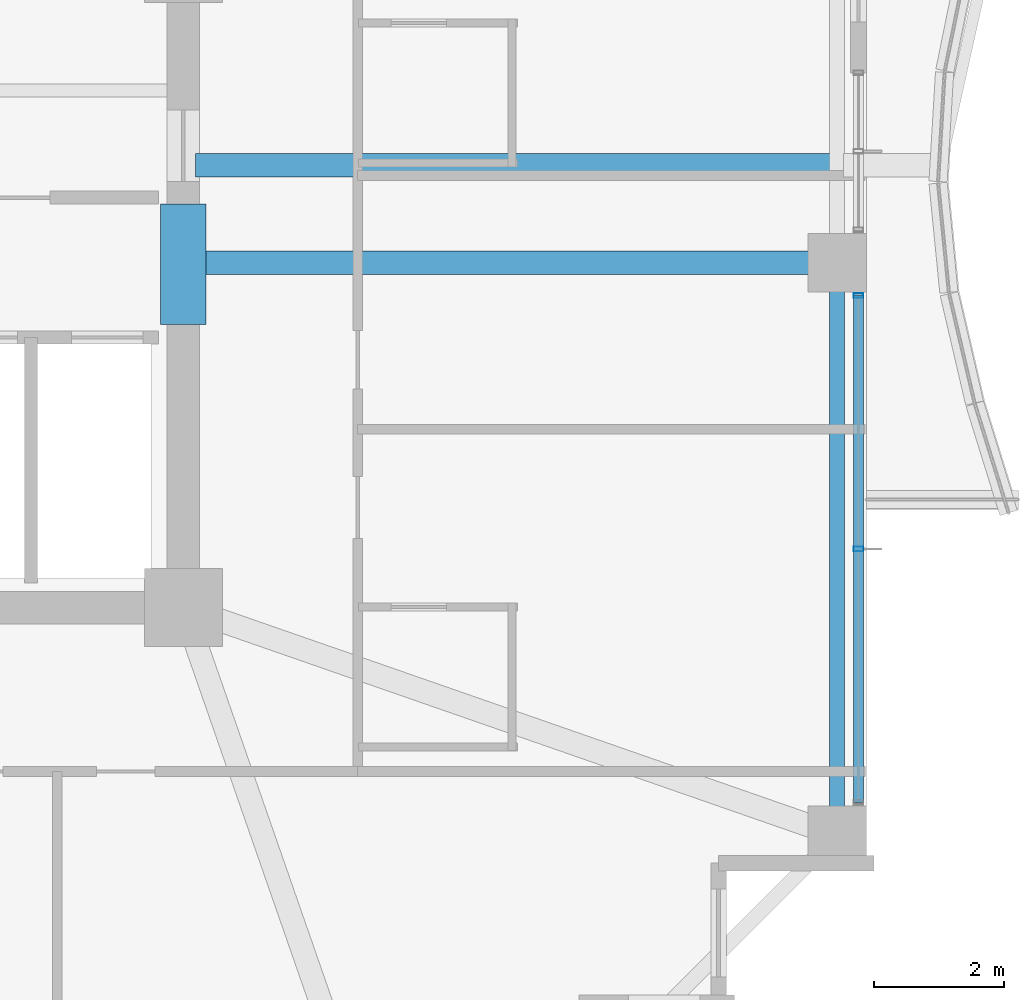
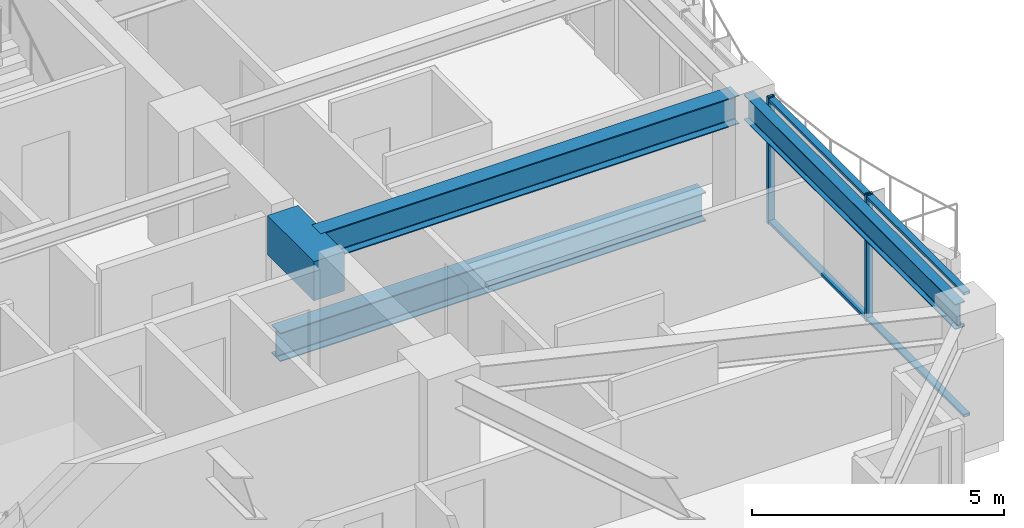
# One storey, part 12 of 34: 4 beams, 4 members, 1 element without a shape of its own.
"""IFC4 building model written with IfcOpenShell, lengths in metres."""

from ifc_helpers import new_model, si_unit, direction, frame, origin, origin_2d, place, context, subcontext, project, spatial, rectangle, hollow_rectangle, i_section, extrude, material, material_profile, profile_set, type_object, element, aggregate, save


model = new_model("IFC4")

# Units and contexts
model_context = context("Model", 3, precision=1e-05, world=origin(), true_north=direction((0.0, 1.0)))
body_context = subcontext(model_context, "Body", "Model", "MODEL_VIEW")
ifc_project = project(units=[si_unit("LENGTHUNIT", "METRE"), si_unit("AREAUNIT", "SQUARE_METRE"), si_unit("VOLUMEUNIT", "CUBIC_METRE"), si_unit("PLANEANGLEUNIT", "RADIAN"), si_unit("MASSUNIT", "GRAM", prefix="KILO")], contexts=[model_context])

# Site, building, storey
site_placement = place(None, origin())
site = spatial("IfcSite", under=ifc_project, at=site_placement, CompositionType="ELEMENT")
building_placement = place(site_placement, origin())
building = spatial("IfcBuilding", under=site, at=building_placement, Name="Kolvaren Belvedere", CompositionType="ELEMENT")
storey_placement = place(building_placement, frame((0.0, 0.0, 189.89990234375)))
storey = spatial("IfcBuildingStorey", under=building, at=storey_placement, Name="L55", CompositionType="ELEMENT", Elevation=189.89990234375)

# Beams
ifc_material_1 = material(Name="Structural steel ASTM A992 Grade 50", Category="steel")
ifc_material_profile_1 = material_profile(ifc_material_1, i_section(OverallWidth=0.35498046875, OverallDepth=0.696044921875, WebThickness=0.015380859375, FlangeThickness=0.02490234375, FilletRadius=0.02197265625, at=origin_2d()), Name="W27X146")
ifc_profile_set_1 = profile_set([ifc_material_profile_1], Name="Structural steel ASTM A992 Grade 50")
beam_type_1 = type_object("IfcBeamType", Name="BM-GIRD-W27X146", PredefinedType="BEAM", material=ifc_profile_set_1)
beam_1_placement = place(storey_placement, frame((10.090087890625, -3.10009765625, -0.56787109375), z_axis=(1.0, 0.0, 0.0), x_axis=(0.0, 1.0, 0.0)))
element("IfcBeam", 1, at=beam_1_placement, inside=storey, type_object=beam_type_1, Name="L55 Balcony Interior Back-Span Girder BAL-E-1", PredefinedType="BEAM", context=body_context, shape_type="SweptSolid", body=[
    extrude(i_section(OverallWidth=0.35498046875, OverallDepth=0.696044921875, WebThickness=0.015380859375, FlangeThickness=0.02490234375, FilletRadius=0.02197265625, at=origin_2d()), origin(), (0.0, 0.0, 1.0), 9.764892578125),
])
beam_2_placement = place(storey_placement, frame((10.14990234375, -4.60009765625, 2.732177734375), z_axis=(1.0, 0.0, 0.0), x_axis=(0.0, 1.0, 0.0)))
element("IfcBeam", 2, at=beam_2_placement, inside=storey, type_object=beam_type_1, Name="L55 East Radial Girder M", PredefinedType="BEAM", context=body_context, shape_type="SweptSolid", body=[
    extrude(i_section(OverallWidth=0.35498046875, OverallDepth=0.696044921875, WebThickness=0.015380859375, FlangeThickness=0.02490234375, FilletRadius=0.02197265625, at=origin_2d()), origin(), (0.0, 0.0, 1.0), 9.59765625),
])
ifc_material_2 = material(Name="Concrete C60/75", Category="concrete")
ifc_material_profile_2 = material_profile(ifc_material_2, rectangle(XDim=0.699951171875, YDim=0.949951171875, at=origin_2d()), Name="RC 700X950")
ifc_profile_set_2 = profile_set([ifc_material_profile_2], Name="Concrete C60/75")
beam_type_2 = type_object("IfcBeamType", Name="BM-LINT-950", PredefinedType="LINTEL", material=ifc_profile_set_2)
beam_3_placement = place(storey_placement, frame((9.89990234375, -5.550048828125, 2.60498046875), z_axis=(0.0, 1.0, 0.0), x_axis=(-1.0, 0.0, 0.0)))
element("IfcBeam", 3, at=beam_3_placement, inside=storey, type_object=beam_type_2, Name="L55 East Core Coupling Lintel", PredefinedType="LINTEL", context=body_context, shape_type="SweptSolid", body=[
    extrude(rectangle(XDim=0.699951171875, YDim=0.949951171875, at=origin_2d()), origin(), (0.0, 0.0, 1.0), 1.85009765625),
])
ifc_material_3 = material(Name="Structural steel ASTM A992 Grade 50", Category="steel")
ifc_material_profile_3 = material_profile(ifc_material_3, i_section(OverallWidth=0.22900390625, OverallDepth=0.612060546875, WebThickness=0.011962890625, FlangeThickness=0.01953125, FilletRadius=0.01806640625, at=origin_2d()), Name="W24X84")
ifc_profile_set_3 = profile_set([ifc_material_profile_3], Name="Structural steel ASTM A992 Grade 50")
beam_type_3 = type_object("IfcBeamType", Name="BM-SPAN-W24X84", PredefinedType="SPANDREL", material=ifc_profile_set_3)
beam_4_placement = place(storey_placement, frame((19.949951171875, -13.197509765625, 2.774169921875), z_axis=(0.0, 1.0, 0.0), x_axis=(-1.0, 0.0, 0.0)))
element("IfcBeam", 4, at=beam_4_placement, inside=storey, type_object=beam_type_3, Name="L55 Perimeter Spandrel E1-E2", PredefinedType="SPANDREL", context=body_context, shape_type="SweptSolid", body=[
    extrude(i_section(OverallWidth=0.22900390625, OverallDepth=0.612060546875, WebThickness=0.011962890625, FlangeThickness=0.01953125, FilletRadius=0.01806640625, at=origin_2d()), origin(), (0.0, 0.0, 1.0), 8.39501953125),
])

# Curtain wall, members
ifc_material_4 = material(Name="Anodised pale-metal aluminium AA 6063-T6", Category="aluminium")
curtain_wall_type = type_object("IfcCurtainWallType", Name="CW-Z5-HIGH", PredefinedType="NOTDEFINED", material=ifc_material_4)
curtain_wall_placement = place(storey_placement, origin())
curtain_wall = element("IfcCurtainWall", 5, at=curtain_wall_placement, inside=storey, type_object=curtain_wall_type, Name="L55 Unitised Curtain Wall FCW-L55-E2-B2", PredefinedType="NOTDEFINED")
ifc_material_5 = material(Name="Anodised pale-metal aluminium AA 6063-T6", Category="aluminium")
ifc_material_profile_4 = material_profile(ifc_material_5, hollow_rectangle(XDim=0.070068359375, YDim=0.14990234375, WallThickness=0.004150390625, at=origin_2d()), Name="ALU-MUL-150X70")
ifc_profile_set_4 = profile_set([ifc_material_profile_4], Name="Anodised pale-metal aluminium AA 6063-T6")
member_type_1 = type_object("IfcMemberType", Name="CW-MUL-150", PredefinedType="MULLION", material=ifc_profile_set_4)
member_1_placement = place(storey_placement, frame((20.280029296875, -5.10498046875, 0.0), z_axis=(0.0, 0.0, 1.0), x_axis=(0.0, 1.0, 0.0)))
member_1 = element("IfcMember", 6, at=member_1_placement, type_object=member_type_1, Name="FCW-L55-E2-B2 Unitised Mullion 1", PredefinedType="MULLION", context=body_context, shape_type="SweptSolid", body=[
    extrude(hollow_rectangle(XDim=0.070068359375, YDim=0.14990234375, WallThickness=0.004150390625, at=origin_2d()), origin(), (0.0, 0.0, 1.0), 3.080078125),
])
member_2_placement = place(storey_placement, frame((20.280029296875, -9.0, 0.0), z_axis=(0.0, 0.0, 1.0), x_axis=(0.0, 1.0, 0.0)))
member_2 = element("IfcMember", 7, at=member_2_placement, type_object=member_type_1, Name="FCW-L55-E2-B2 Unitised Mullion 2", PredefinedType="MULLION", context=body_context, shape_type="SweptSolid", body=[
    extrude(hollow_rectangle(XDim=0.070068359375, YDim=0.14990234375, WallThickness=0.004150390625, at=origin_2d()), origin(), (0.0, 0.0, 1.0), 3.080078125),
])
ifc_material_6 = material(Name="Anodised pale-metal aluminium AA 6063-T6", Category="aluminium")
ifc_material_profile_5 = material_profile(ifc_material_6, hollow_rectangle(XDim=0.06494140625, YDim=0.14990234375, WallThickness=0.00390625, at=origin_2d()), Name="ALU-TRN-150X65")
ifc_profile_set_5 = profile_set([ifc_material_profile_5], Name="Anodised pale-metal aluminium AA 6063-T6")
member_type_2 = type_object("IfcMemberType", Name="CW-TRN-150", PredefinedType="USERDEFINED", material=ifc_profile_set_5)
member_3_placement = place(storey_placement, frame((20.280029296875, -5.10498046875, 0.06005859375), z_axis=(0.0, -1.0, 0.0), x_axis=(0.0, 0.0, 1.0)))
member_3 = element("IfcMember", 8, at=member_3_placement, type_object=member_type_2, Name="FCW-L55-E2-B2 Sill Transom", ObjectType="TRANSOM", PredefinedType="USERDEFINED", context=body_context, shape_type="SweptSolid", body=[
    extrude(hollow_rectangle(XDim=0.06494140625, YDim=0.14990234375, WallThickness=0.00390625, at=origin_2d()), origin(), (0.0, 0.0, 1.0), 7.7900390625),
])
member_4_placement = place(storey_placement, frame((20.280029296875, -5.10498046875, 3.02001953125), z_axis=(0.0, -1.0, 0.0), x_axis=(0.0, 0.0, 1.0)))
member_4 = element("IfcMember", 9, at=member_4_placement, type_object=member_type_2, Name="FCW-L55-E2-B2 Head Transom", ObjectType="TRANSOM", PredefinedType="USERDEFINED", context=body_context, shape_type="SweptSolid", body=[
    extrude(hollow_rectangle(XDim=0.06494140625, YDim=0.14990234375, WallThickness=0.00390625, at=origin_2d()), origin(), (0.0, 0.0, 1.0), 7.7900390625),
])
aggregate(curtain_wall, [member_1, member_2, member_3, member_4])

save(model, "model.ifc")
